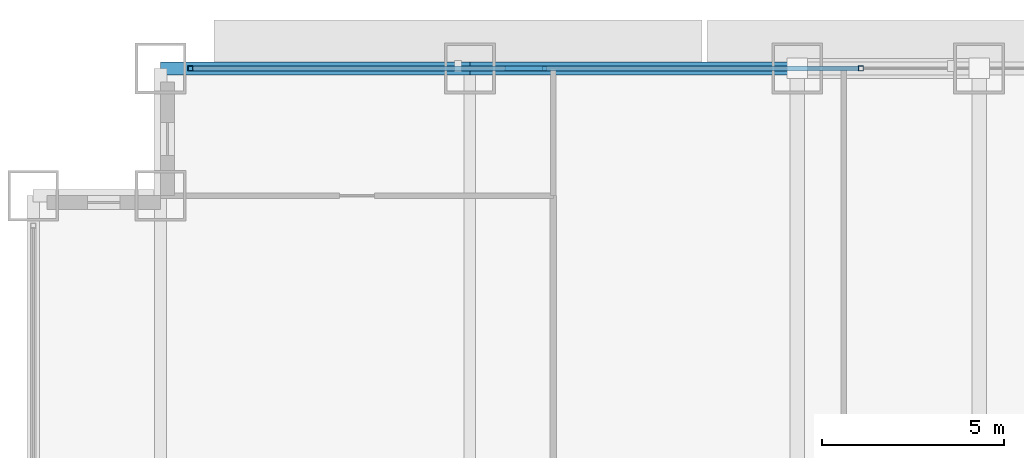
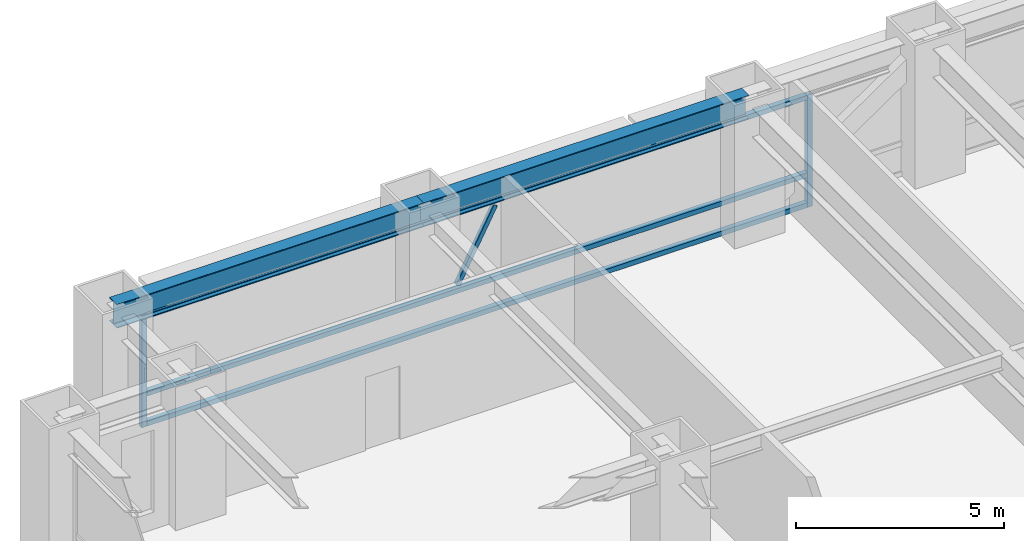
# One storey, part 19 of 31: 6 members, 2 beams, 1 element without a shape of its own.
"""IFC4 building model written with IfcOpenShell, lengths in metres."""

from ifc_helpers import new_model, si_unit, direction, frame, origin, origin_2d, place, context, subcontext, project, spatial, hollow_rectangle, i_section, extrude, source, transform, mapped, material, material_profile, profile_set, type_object, element, aggregate, save


model = new_model("IFC4")

# Units and contexts
model_context = context("Model", 3, precision=1e-05, world=origin(), true_north=direction((0.0, 1.0)))
body_context = subcontext(model_context, "Body", "Model", "MODEL_VIEW")
ifc_project = project(units=[si_unit("LENGTHUNIT", "METRE"), si_unit("AREAUNIT", "SQUARE_METRE"), si_unit("VOLUMEUNIT", "CUBIC_METRE"), si_unit("PLANEANGLEUNIT", "RADIAN"), si_unit("MASSUNIT", "GRAM", prefix="KILO")], contexts=[model_context])

# Site, building, storey
site_placement = place(None, origin())
site = spatial("IfcSite", under=ifc_project, at=site_placement, CompositionType="ELEMENT")
building_placement = place(site_placement, origin())
building = spatial("IfcBuilding", under=site, at=building_placement, Name="Khorayat Bourse Tower", CompositionType="ELEMENT")
storey_placement = place(building_placement, frame((0.0, 0.0, 36.800048828125)))
storey = spatial("IfcBuildingStorey", under=building, at=storey_placement, Name="L07", CompositionType="ELEMENT", Elevation=36.800048828125)

# Beams
ifc_material_1 = material(Name="Steel ASTM A992 Grade 50", Category="steel")
ifc_material_profile_1 = material_profile(ifc_material_1, i_section(OverallWidth=0.35498046875, OverallDepth=0.695068359375, WebThickness=0.015380859375, FlangeThickness=0.02490234375, FilletRadius=0.01806640625, at=origin_2d()), Name="W690X217")
ifc_profile_set_1 = profile_set([ifc_material_profile_1], Name="Steel ASTM A992 Grade 50")
beam_type = type_object("IfcBeamType", Name="BM-SPAN-690", PredefinedType="SPANDREL", material=ifc_profile_set_1)
shared_shape_1 = source(origin(), body_context, "Body", "SweptSolid", [
    extrude(i_section(OverallWidth=0.35498046875, OverallDepth=0.695068359375, WebThickness=0.015380859375, FlangeThickness=0.02490234375, FilletRadius=0.01806640625, at=origin_2d()), origin(), (0.0, 0.0, 1.0), 8.5),
])
beam_1_placement = place(storey_placement, frame((-28.5, 32.0, 3.592529296875), z_axis=(1.0, 0.0, 0.0), x_axis=(0.0, 1.0, 0.0)))
element("IfcBeam", 1, at=beam_1_placement, inside=storey, type_object=beam_type, Name="L07 BM-SPAN-690 BM-L07-SPN-051", PredefinedType="SPANDREL", context=body_context, shape_type="MappedRepresentation", body=[
    mapped(shared_shape_1, transform((0.0, 0.0, 0.0), scale=1.0)),
])
shared_shape_2 = source(origin(), body_context, "Body", "SweptSolid", [
    extrude(i_section(OverallWidth=0.35498046875, OverallDepth=0.695068359375, WebThickness=0.015380859375, FlangeThickness=0.02490234375, FilletRadius=0.01806640625, at=origin_2d()), origin(), (0.0, 0.0, 1.0), 9.0),
])
beam_2_placement = place(storey_placement, frame((-20.0, 32.0, 3.592529296875), z_axis=(1.0, 0.0, 0.0), x_axis=(0.0, 1.0, 0.0)))
element("IfcBeam", 2, at=beam_2_placement, inside=storey, type_object=beam_type, Name="L07 BM-SPAN-690 BM-L07-SPN-050", PredefinedType="SPANDREL", context=body_context, shape_type="MappedRepresentation", body=[
    mapped(shared_shape_2, transform((0.0, 0.0, 0.0), scale=1.0)),
])

# Curtain wall, members
ifc_material_2 = material(Name="Aluminium EN AW-6063 T6", Category="aluminium")
curtain_wall_type = type_object("IfcCurtainWallType", Name="CW-SYS-02", PredefinedType="NOTDEFINED", material=ifc_material_2)
curtain_wall_placement = place(storey_placement, origin())
curtain_wall = element("IfcCurtainWall", 3, at=curtain_wall_placement, inside=storey, type_object=curtain_wall_type, Name="L07 Curtain Wall CW-L07-N1", PredefinedType="NOTDEFINED")
ifc_material_profile_2 = material_profile(ifc_material_2, hollow_rectangle(XDim=0.139892578125, YDim=0.139892578125, WallThickness=0.006103515625, at=origin_2d()), Name="ALU 140x140x6")
ifc_profile_set_2 = profile_set([ifc_material_profile_2], Name="Aluminium EN AW-6063 T6")
member_type_1 = type_object("IfcMemberType", Name="CWT-HORZ-140", PredefinedType="USERDEFINED", material=ifc_profile_set_2)
shared_shape_3 = source(origin(), body_context, "Body", "SweptSolid", [
    extrude(hollow_rectangle(XDim=0.139892578125, YDim=0.139892578125, WallThickness=0.006103515625, at=origin_2d()), origin(), (0.0, 0.0, 1.0), 18.2900390625),
])
member_1_placement = place(storey_placement, frame((-27.610107421875, 32.0, 0.070068359375), z_axis=(1.0, 0.0, 0.0), x_axis=(0.0, 1.0, 0.0)))
member_1 = element("IfcMember", 4, at=member_1_placement, type_object=member_type_1, Name="CW-L07-N1 Horizontal Transom 1-1", ObjectType="TRANSOM", PredefinedType="USERDEFINED", context=body_context, shape_type="MappedRepresentation", body=[
    mapped(shared_shape_3, transform((0.0, 0.0, 0.0), scale=1.0)),
])
member_2_placement = place(storey_placement, frame((-27.610107421875, 32.0, 0.949951171875), z_axis=(1.0, 0.0, 0.0), x_axis=(0.0, 1.0, 0.0)))
member_2 = element("IfcMember", 5, at=member_2_placement, type_object=member_type_1, Name="CW-L07-N1 Horizontal Transom 1-2", ObjectType="TRANSOM", PredefinedType="USERDEFINED", context=body_context, shape_type="MappedRepresentation", body=[
    mapped(shared_shape_3, transform((0.0, 0.0, 0.0), scale=1.0)),
])
member_3_placement = place(storey_placement, frame((-27.610107421875, 32.0, 3.219970703125), z_axis=(1.0, 0.0, 0.0), x_axis=(0.0, 1.0, 0.0)))
member_3 = element("IfcMember", 6, at=member_3_placement, type_object=member_type_1, Name="CW-L07-N1 Horizontal Transom 1-3", ObjectType="TRANSOM", PredefinedType="USERDEFINED", context=body_context, shape_type="MappedRepresentation", body=[
    mapped(shared_shape_3, transform((0.0, 0.0, 0.0), scale=1.0)),
])
ifc_material_profile_3 = material_profile(ifc_material_2, hollow_rectangle(XDim=0.139892578125, YDim=0.139892578125, WallThickness=0.006103515625, at=origin_2d()), Name="ALU 140x140x6")
ifc_profile_set_3 = profile_set([ifc_material_profile_3], Name="Aluminium EN AW-6063 T6")
member_type_2 = type_object("IfcMemberType", Name="CWM-VERT-140", PredefinedType="MULLION", material=ifc_profile_set_3)
shared_shape_4 = source(origin(), body_context, "Body", "SweptSolid", [
    extrude(hollow_rectangle(XDim=0.139892578125, YDim=0.139892578125, WallThickness=0.006103515625, at=origin_2d()), origin(), (0.0, 0.0, 1.0), 3.2900390625),
])
member_4_placement = place(storey_placement, frame((-27.679931640625, 32.0, 0.0), z_axis=(0.0, 0.0, 1.0), x_axis=(0.0, 1.0, 0.0)))
member_4 = element("IfcMember", 7, at=member_4_placement, type_object=member_type_2, Name="CW-L07-N1 Vertical Mullion 1", PredefinedType="MULLION", context=body_context, shape_type="MappedRepresentation", body=[
    mapped(shared_shape_4, transform((0.0, 0.0, 0.0), scale=1.0)),
])
member_5_placement = place(storey_placement, frame((-9.25, 32.0, 0.0), z_axis=(0.0, 0.0, 1.0), x_axis=(0.0, 1.0, 0.0)))
member_5 = element("IfcMember", 8, at=member_5_placement, type_object=member_type_2, Name="CW-L07-N1 Vertical Mullion 2", PredefinedType="MULLION", context=body_context, shape_type="MappedRepresentation", body=[
    mapped(shared_shape_4, transform((0.0, 0.0, 0.0), scale=1.0)),
])
ifc_material_profile_4 = material_profile(ifc_material_2, hollow_rectangle(XDim=0.1201171875, YDim=0.1201171875, WallThickness=0.0048828125, at=origin_2d()), Name="ALU 120x120x5")
ifc_profile_set_4 = profile_set([ifc_material_profile_4], Name="Aluminium EN AW-6063 T6")
member_type_3 = type_object("IfcMemberType", Name="CWM-DIAG-120", PredefinedType="MULLION", material=ifc_profile_set_4)
shared_shape_5 = source(origin(), body_context, "Body", "SweptSolid", [
    extrude(hollow_rectangle(XDim=0.1201171875, YDim=0.1201171875, WallThickness=0.0048828125, at=origin_2d()), origin(), (0.0, 0.0, 1.0), 2.226318359375),
])
member_6_placement = place(storey_placement, frame((-18.9833984375, 32.0, 1.099853515625), z_axis=(0.465714796031, 0.0, 0.884934872608), x_axis=(0.0, 1.0, 0.0)))
member_6 = element("IfcMember", 9, at=member_6_placement, type_object=member_type_3, Name="CW-L07-N1 Faceted Diagonal Mullion 1", PredefinedType="MULLION", context=body_context, shape_type="MappedRepresentation", body=[
    mapped(shared_shape_5, transform((0.0, 0.0, 0.0), scale=1.0)),
])
aggregate(curtain_wall, [member_4, member_5, member_1, member_2, member_3, member_6])

save(model, "model.ifc")
